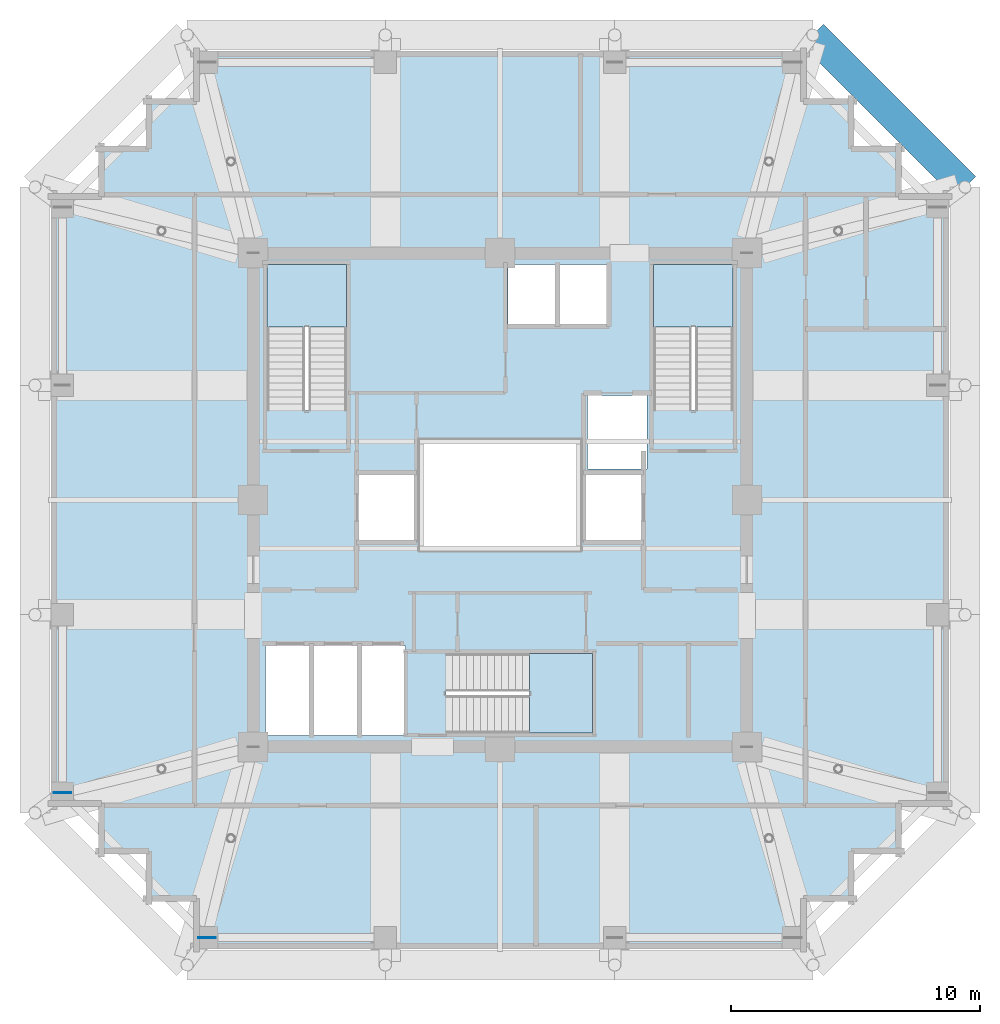
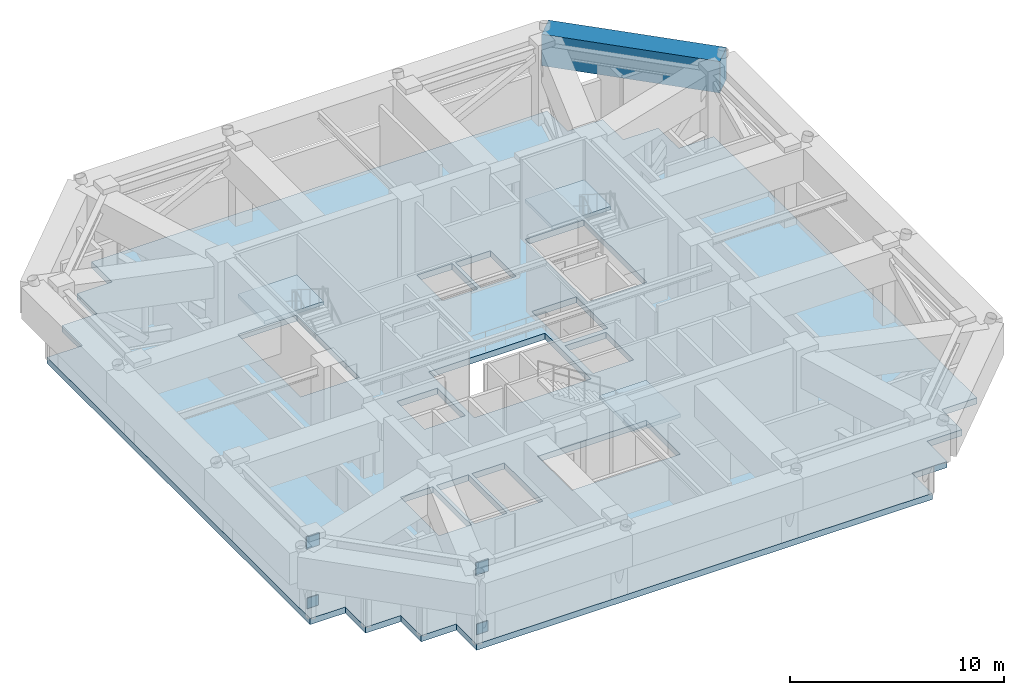
# One storey, part 6 of 12: 4 plates, 4 slabs, 1 beam, 3 elements without a shape of their own.
"""IFC4 building model written with IfcOpenShell, lengths in metres."""

from ifc_helpers import new_model, si_unit, direction, frame, origin, origin_2d, place, context, subcontext, project, spatial, polyline, rectangle, outline, extrude, material, layer, layer_set, material_profile, profile_set, type_object, element, aggregate, save


model = new_model("IFC4")

# Units and contexts
model_context = context("Model", 3, precision=1e-05, world=origin(), true_north=direction((0.0, 1.0)))
body_context = subcontext(model_context, "Body", "Model", "MODEL_VIEW")
ifc_project = project(units=[si_unit("LENGTHUNIT", "METRE"), si_unit("AREAUNIT", "SQUARE_METRE"), si_unit("VOLUMEUNIT", "CUBIC_METRE"), si_unit("PLANEANGLEUNIT", "RADIAN"), si_unit("MASSUNIT", "GRAM", prefix="KILO")], contexts=[model_context])

# Site, building, storey
site_placement = place(None, origin())
site = spatial("IfcSite", under=ifc_project, at=site_placement, CompositionType="ELEMENT")
building_placement = place(site_placement, origin())
building = spatial("IfcBuilding", under=site, at=building_placement, Name="Kolvaren Belvedere", CompositionType="ELEMENT")
storey_placement = place(building_placement, frame((0.0, 0.0, 148.10009765625)))
storey = spatial("IfcBuildingStorey", under=building, at=storey_placement, Name="L43", CompositionType="ELEMENT", Elevation=148.10009765625)

# Beam
ifc_material_1 = material(Name="Concrete C50/60", Category="concrete")
ifc_material_profile = material_profile(ifc_material_1, rectangle(XDim=1.199951171875, YDim=1.800048828125, at=origin_2d()), Name="RC 1200X1800")
ifc_profile_set = profile_set([ifc_material_profile], Name="Concrete C50/60")
beam_type = type_object("IfcBeamType", Name="BM-TG-1800", PredefinedType="BEAM", material=ifc_profile_set)
beam_placement = place(storey_placement, frame((18.64990234375, 12.550048828125, 3.39990234375), z_axis=(-0.707106781187, 0.707106781187, 0.0), x_axis=(-0.707106781187, -0.707106781187, 0.0)))
element("IfcBeam", 1, at=beam_placement, inside=storey, type_object=beam_type, Name="L43 Step Transfer Ring Girder E4-N4", PredefinedType="BEAM", context=body_context, shape_type="SweptSolid", body=[
    extrude(rectangle(XDim=1.199951171875, YDim=1.800048828125, at=origin_2d()), origin(), (0.0, 0.0, 1.0), 8.62646484375),
])

# Plates
ifc_material_2 = material(Name="Structural steel ASTM A572 Grade 50", Category="steel")
ifc_layer_1 = layer(ifc_material_2, 0.031982421875)
ifc_layer_set_1 = layer_set([ifc_layer_1], Name="Structural steel ASTM A572 Grade 50")
plate_type_1 = type_object("IfcPlateType", Name="PL-GUSSET-32", PredefinedType="USERDEFINED", material=ifc_layer_set_1)
for number, where, z_axis, x_axis, name in (
    (2, (-11.75, -17.550048828125, 0.179931640625), (0.0, 0.0, 1.0), (1.0, 0.0, 0.0), "L43 Belt Truss Node Gusset BN-1"),
    (3, (-17.550048828125, -11.75, 0.179931640625), (0.0, 0.0, 1.0), (1.0, 0.0, 0.0), "L43 Belt Truss Node Gusset BN-5"),
):
    element("IfcPlate", number, at=place(storey_placement, frame(where, z_axis=z_axis, x_axis=x_axis)), inside=storey, type_object=plate_type_1, Name=name, ObjectType="GUSSET PLATE", PredefinedType="USERDEFINED", context=body_context, shape_type="SweptSolid", body=[
        extrude(rectangle(XDim=0.60009765625, YDim=0.031982421875, at=origin_2d()), origin(), (0.0, 0.0, 1.0), 0.60009765625),
    ])
ifc_material_3 = material(Name="Structural steel ASTM A572 Grade 50", Category="steel")
ifc_layer_2 = layer(ifc_material_3, 0.0400390625)
ifc_layer_set_2 = layer_set([ifc_layer_2], Name="Structural steel ASTM A572 Grade 50")
plate_type_2 = type_object("IfcPlateType", Name="PL-GUSSET-40", PredefinedType="USERDEFINED", material=ifc_layer_set_2)
for number, where, z_axis, x_axis, name in (
    (4, (-11.75, -17.550048828125, 3.60009765625), (0.0, 0.0, 1.0), (1.0, 0.0, 0.0), "L43 Outrigger Truss Node Gusset ON-1"),
    (5, (-17.550048828125, -11.75, 3.60009765625), (0.0, 0.0, 1.0), (1.0, 0.0, 0.0), "L43 Outrigger Truss Node Gusset ON-2"),
):
    element("IfcPlate", number, at=place(storey_placement, frame(where, z_axis=z_axis, x_axis=x_axis)), inside=storey, type_object=plate_type_2, Name=name, ObjectType="GUSSET PLATE", PredefinedType="USERDEFINED", context=body_context, shape_type="SweptSolid", body=[
        extrude(rectangle(XDim=0.699951171875, YDim=0.0400390625, at=origin_2d()), origin(), (0.0, 0.0, 1.0), 0.699951171875),
    ])

# Slab
ifc_material_4 = material(Name="Concrete C50/60", Category="concrete")
ifc_layer_3 = layer(ifc_material_4, 0.35009765625)
ifc_layer_set_3 = layer_set([ifc_layer_3], Name="Concrete C50/60")
slab_type_1 = type_object("IfcSlabType", Name="SL-FLR-350", PredefinedType="FLOOR", material=ifc_layer_set_3)
slab_1_placement = place(storey_placement, frame((0.0, 0.0, -0.35009765625)))
element("IfcSlab", 6, at=slab_1_placement, inside=storey, type_object=slab_type_1, Name="L43 Primary Structural Slab", PredefinedType="FLOOR", context=body_context, shape_type="SweptSolid", body=[
    extrude(outline(polyline([(-12.300048828125, -18.0), (12.300048828125, -18.0), (12.300048828125, -16.10009765625), (14.199951171875, -16.10009765625), (14.199951171875, -14.199951171875), (16.10009765625, -14.199951171875), (16.10009765625, -12.300048828125), (18.0, -12.300048828125), (18.0, 12.300048828125), (16.10009765625, 12.300048828125), (16.10009765625, 14.199951171875), (14.199951171875, 14.199951171875), (14.199951171875, 16.10009765625), (12.300048828125, 16.10009765625), (12.300048828125, 18.0), (-12.300048828125, 18.0), (-12.300048828125, 16.10009765625), (-14.199951171875, 16.10009765625), (-14.199951171875, 14.199951171875), (-16.10009765625, 14.199951171875), (-16.10009765625, 12.300048828125), (-18.0, 12.300048828125), (-18.0, -12.300048828125), (-16.10009765625, -12.300048828125), (-16.10009765625, -14.199951171875), (-14.199951171875, -14.199951171875), (-14.199951171875, -16.10009765625), (-12.300048828125, -16.10009765625), (-12.300048828125, -18.0)]), holes=[polyline([(-9.35009765625, 3.580078125), (-6.159912109375, 3.580078125), (-6.159912109375, 9.449951171875), (-9.35009765625, 9.449951171875), (-9.35009765625, 3.580078125)]), polyline([(6.159912109375, 3.580078125), (9.35009765625, 3.580078125), (9.35009765625, 9.449951171875), (6.159912109375, 9.449951171875), (6.159912109375, 3.580078125)]), polyline([(-2.169921875, -9.35009765625), (3.699951171875, -9.35009765625), (3.699951171875, -6.159912109375), (-2.169921875, -6.159912109375), (-2.169921875, -9.35009765625)]), polyline([(-5.64990234375, -1.60009765625), (-3.449951171875, -1.60009765625), (-3.449951171875, 1.0), (-5.64990234375, 1.0), (-5.64990234375, -1.60009765625)]), polyline([(3.5, 1.25), (5.89990234375, 1.25), (5.89990234375, 4.199951171875), (3.5, 4.199951171875), (3.5, 1.25)]), polyline([(3.449951171875, -1.60009765625), (5.64990234375, -1.60009765625), (5.64990234375, 1.0), (3.449951171875, 1.0), (3.449951171875, -1.60009765625)]), polyline([(-9.39990234375, -9.449951171875), (-7.64990234375, -9.449951171875), (-7.64990234375, -5.85009765625), (-9.39990234375, -5.85009765625), (-9.39990234375, -9.449951171875)]), polyline([(-7.469970703125, -9.449951171875), (-5.719970703125, -9.449951171875), (-5.719970703125, -5.85009765625), (-7.469970703125, -5.85009765625), (-7.469970703125, -9.449951171875)]), polyline([(-5.5400390625, -9.449951171875), (-3.7900390625, -9.449951171875), (-3.7900390625, -5.85009765625), (-5.5400390625, -5.85009765625), (-5.5400390625, -9.449951171875)]), polyline([(0.320068359375, 7.050048828125), (2.219970703125, 7.050048828125), (2.219970703125, 9.449951171875), (0.320068359375, 9.449951171875), (0.320068359375, 7.050048828125)]), polyline([(2.39990234375, 7.050048828125), (4.300048828125, 7.050048828125), (4.300048828125, 9.449951171875), (2.39990234375, 9.449951171875), (2.39990234375, 7.050048828125)]), polyline([(-3.14990234375, -1.949951171875), (3.14990234375, -1.949951171875), (3.14990234375, 2.35009765625), (-3.14990234375, 2.35009765625), (-3.14990234375, -1.949951171875)])]), origin(), (0.0, 0.0, 1.0), 0.35009765625),
])

# Stair, slab
ifc_material_5 = material(Name="Concrete C50/60", Category="concrete")
stair_type = type_object("IfcStairType", Name="ST-CORE-1520", PredefinedType="HALF_TURN_STAIR", material=ifc_material_5)
stair_1_placement = place(storey_placement, origin())
stair_1 = element("IfcStair", 7, at=stair_1_placement, inside=storey, type_object=stair_type, Name="L43 Protected Exit Stair ST-1", PredefinedType="HALF_TURN_STAIR")
ifc_material_6 = material(Name="Concrete C50/60", Category="concrete")
ifc_layer_4 = layer(ifc_material_6, 0.260009765625)
ifc_layer_set_4 = layer_set([ifc_layer_4], Name="Concrete C50/60")
slab_type_2 = type_object("IfcSlabType", Name="SL-LAND-260", PredefinedType="LANDING", material=ifc_layer_set_4)
slab_2_placement = place(storey_placement, frame((0.0, 0.0, 2.099853515625)))
slab_2 = element("IfcSlab", 8, at=slab_2_placement, type_object=slab_type_2, Name="ST-1 landing 1", PredefinedType="LANDING", context=body_context, shape_type="SweptSolid", body=[
    extrude(outline(polyline([(-6.159912109375, 6.929931640625), (-6.159912109375, 9.449951171875), (-9.35009765625, 9.449951171875), (-9.35009765625, 6.929931640625), (-6.159912109375, 6.929931640625)])), origin(), (0.0, 0.0, 1.0), 0.199951171875),
])
aggregate(stair_1, [slab_2])

stair_2_placement = place(storey_placement, origin())
stair_2 = element("IfcStair", 9, at=stair_2_placement, inside=storey, type_object=stair_type, Name="L43 Protected Exit Stair ST-2", PredefinedType="HALF_TURN_STAIR")
slab_3_placement = place(storey_placement, frame((0.0, 0.0, 2.099853515625)))
slab_3 = element("IfcSlab", 10, at=slab_3_placement, type_object=slab_type_2, Name="ST-2 landing 1", PredefinedType="LANDING", context=body_context, shape_type="SweptSolid", body=[
    extrude(outline(polyline([(9.35009765625, 6.929931640625), (9.35009765625, 9.449951171875), (6.159912109375, 9.449951171875), (6.159912109375, 6.929931640625), (9.35009765625, 6.929931640625)])), origin(), (0.0, 0.0, 1.0), 0.199951171875),
])
aggregate(stair_2, [slab_3])

stair_3_placement = place(storey_placement, origin())
stair_3 = element("IfcStair", 11, at=stair_3_placement, inside=storey, type_object=stair_type, Name="L43 Protected Exit Stair ST-3", PredefinedType="HALF_TURN_STAIR")
slab_4_placement = place(storey_placement, frame((0.0, 0.0, 2.099853515625)))
slab_4 = element("IfcSlab", 12, at=slab_4_placement, type_object=slab_type_2, Name="ST-3 landing 1", PredefinedType="LANDING", context=body_context, shape_type="SweptSolid", body=[
    extrude(outline(polyline([(1.179931640625, -9.35009765625), (3.699951171875, -9.35009765625), (3.699951171875, -6.159912109375), (1.179931640625, -6.159912109375), (1.179931640625, -9.35009765625)])), origin(), (0.0, 0.0, 1.0), 0.199951171875),
])
aggregate(stair_3, [slab_4])

save(model, "model.ifc")
